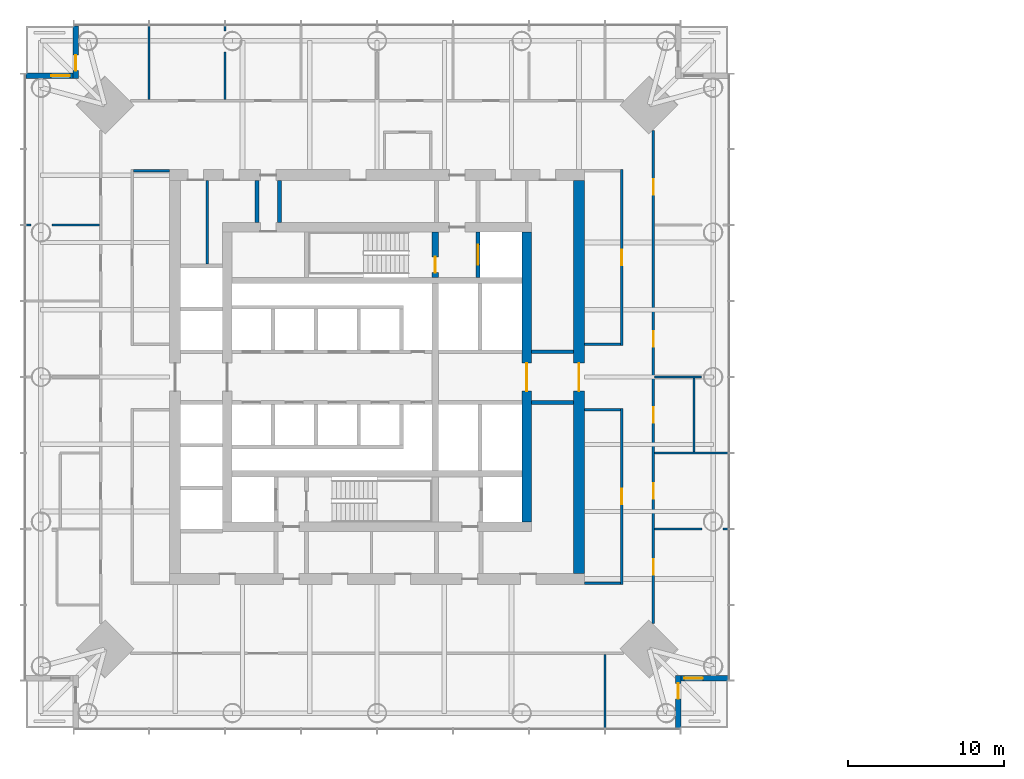
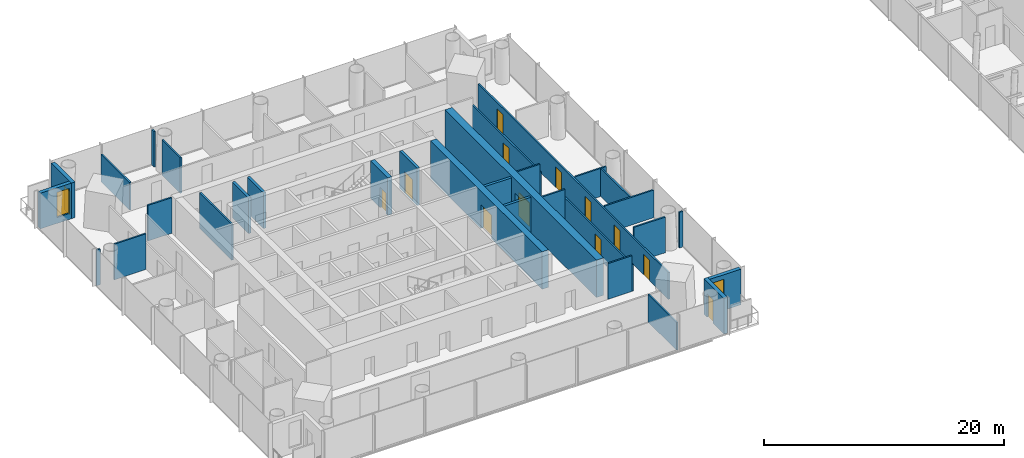
# One storey, part 10 of 18: 31 walls, 13 doors, 2 windows, 15 openings.
"""IFC4 building model written with IfcOpenShell, lengths in metres."""

from ifc_helpers import new_model, si_unit, direction, frame, frame_2d, origin, place, context, subcontext, project, spatial, rectangle, extrude, material, layer, layer_set, type_object, element, fill, save


model = new_model("IFC4")

# Units and contexts
model_context = context("Model", 3, precision=1e-05, world=origin(), true_north=direction((0.0, 1.0)))
body_context = subcontext(model_context, "Body", "Model", "MODEL_VIEW")
ifc_project = project(units=[si_unit("LENGTHUNIT", "METRE"), si_unit("AREAUNIT", "SQUARE_METRE"), si_unit("VOLUMEUNIT", "CUBIC_METRE"), si_unit("PLANEANGLEUNIT", "RADIAN"), si_unit("MASSUNIT", "GRAM", prefix="KILO")], contexts=[model_context])

# Site, building, storey
site_placement = place(None, origin())
site = spatial("IfcSite", under=ifc_project, at=site_placement, CompositionType="ELEMENT")
building_placement = place(site_placement, origin())
building = spatial("IfcBuilding", under=site, at=building_placement, Name="Ostroluk Exchange", CompositionType="ELEMENT")
storey_placement = place(building_placement, frame((0.0, 0.0, 97.0)))
storey = spatial("IfcBuildingStorey", under=building, at=storey_placement, Name="L24", CompositionType="ELEMENT", Elevation=97.0)

# Walls
ifc_material_1 = material(Name="Concrete blockwork", Category="masonry")
ifc_layer_1 = layer(ifc_material_1, 0.14990234375)
ifc_layer_set_1 = layer_set([ifc_layer_1], Name="Blockwork plant room wall 150")
wall_type_1 = type_object("IfcWallType", Name="Blockwork plant room wall 150", PredefinedType="SOLIDWALL", material=ifc_layer_set_1)
wall_1_placement = place(storey_placement, frame((34.118896484375, 53.25, 0.0), z_axis=(0.0, 0.0, 1.0), x_axis=(0.0, 1.0, 0.0)))
element("IfcWall", 1, at=wall_1_placement, inside=storey, type_object=wall_type_1, Name="Core room wall", PredefinedType="SOLIDWALL", context=body_context, shape_type="SweptSolid", body=[
    extrude(rectangle(XDim=5.35009765625, YDim=0.14990234375, at=frame_2d((2.675048828125, 0.0))), origin(), (0.0, 0.0, 1.0), 3.6201171875),
])
ifc_material_2 = material(Name="Concrete blockwork", Category="masonry")
ifc_layer_2 = layer(ifc_material_2, 0.25)
ifc_layer_set_2 = layer_set([ifc_layer_2], Name="Blockwork stair enclosure wall 250")
wall_type_2 = type_object("IfcWallType", Name="Blockwork stair enclosure wall 250", PredefinedType="SOLIDWALL", material=ifc_layer_set_2)
for number, where, z_axis, x_axis, name in (
    (2, (54.89990234375, 44.375, 0.0), (0.0, 0.0, 1.0), (1.0, 0.0, 0.0), "Lift lobby enclosure wall"),
    (3, (54.89990234375, 47.625, 0.0), (0.0, 0.0, 1.0), (1.0, 0.0, 0.0), "Lift lobby enclosure wall"),
    (4, (37.300048828125, 55.89990234375, 0.0), (0.0, 0.0, 1.0), (0.0, 1.0, 0.0), "Core corridor wall"),
    (5, (38.75, 55.89990234375, 0.0), (0.0, 0.0, 1.0), (0.0, 1.0, 0.0), "Core corridor wall"),
):
    element("IfcWall", number, at=place(storey_placement, frame(where, z_axis=z_axis, x_axis=x_axis)), inside=storey, type_object=wall_type_2, Name=name, PredefinedType="SOLIDWALL", context=body_context, shape_type="SweptSolid", body=[
        extrude(rectangle(XDim=2.7001953125, YDim=0.25, at=frame_2d((1.35009765625, 0.0))), origin(), (0.0, 0.0, 1.0), 3.6201171875),
    ])

# Wall, opening, door
ifc_material_3 = material(Name="Concrete C50/60", Category="concrete")
ifc_layer_3 = layer(ifc_material_3, 0.39990234375)
ifc_layer_set_3 = layer_set([ifc_layer_3], Name="Core cross wall 400 C50/60")
wall_type_3 = type_object("IfcWallType", Name="Core cross wall 400 C50/60", PredefinedType="SHEAR", material=ifc_layer_set_3)
wall_2_placement = place(storey_placement, frame((48.72998046875, 52.39990234375, 0.0), z_axis=(0.0, 0.0, 1.0), x_axis=(0.0, 1.0, 0.0)))
wall_2 = element("IfcWall", 6, at=wall_2_placement, inside=storey, type_object=wall_type_3, Name="T1 core wall YE3", PredefinedType="SHEAR", context=body_context, shape_type="SweptSolid", body=[
    extrude(rectangle(XDim=2.900146484375, YDim=0.39990234375, at=frame_2d((1.4501953125, 0.0))), origin(), (0.0, 0.0, 1.0), 3.800048828125),
])
opening_1_placement = place(wall_2_placement, frame((0.300048828125, 0.0, 0.0)))
opening_1 = element("IfcOpeningElement", 7, at=opening_1_placement, cuts=wall_2, Name="Opening FD60", PredefinedType="OPENING", context=body_context, shape_type="SweptSolid", body=[
    extrude(rectangle(XDim=1.0, YDim=2.10009765625, at=frame_2d((0.5, 1.050048828125))), frame((0.0, 0.2099609375, 0.0), z_axis=(0.0, -1.0, 0.0), x_axis=(1.0, 0.0, 0.0)), (0.0, 0.0, 1.0), 0.419921875),
])
ifc_material_4 = material(Name="Steel", Category="steel")
door_type_1 = type_object("IfcDoorType", Name="Fire door EI 60 1000 x 2100", OperationType="SINGLE_SWING_LEFT", PredefinedType="DOOR", material=ifc_material_4)
door_1_placement = place(opening_1_placement, origin())
door_1 = element("IfcDoor", 8, at=door_1_placement, inside=storey, type_object=door_type_1, Name="Stair T1-S2 door", OperationType="SINGLE_SWING_LEFT", OverallHeight=2.10009765625, OverallWidth=1.0, PredefinedType="DOOR", context=body_context, shape_type="SweptSolid", body=[
    extrude(rectangle(XDim=1.0, YDim=2.10009765625, at=frame_2d((0.5, 1.050048828125))), frame((0.0, 0.02490234375, 0.0), z_axis=(0.0, -1.0, 0.0), x_axis=(1.0, 0.0, 0.0)), (0.0, 0.0, 1.0), 0.050048828125),
])
fill(opening_1, door_1)

ifc_material_5 = material(Name="Concrete C40/50", Category="concrete")
ifc_layer_4 = layer(ifc_material_5, 0.25)
ifc_layer_set_4 = layer_set([ifc_layer_4], Name="Core shaft wall 250")
wall_type_4 = type_object("IfcWallType", Name="Core shaft wall 250", PredefinedType="SHEAR", material=ifc_layer_set_4)
wall_3_placement = place(storey_placement, frame((51.47509765625, 52.39990234375, 0.0), z_axis=(0.0, 0.0, 1.0), x_axis=(0.0, 1.0, 0.0)))
wall_3 = element("IfcWall", 9, at=wall_3_placement, inside=storey, type_object=wall_type_4, Name="Firefighting lift shaft wall", PredefinedType="SHEAR", context=body_context, shape_type="SweptSolid", body=[
    extrude(rectangle(XDim=2.900146484375, YDim=0.25, at=frame_2d((1.4501953125, 0.0))), origin(), (0.0, 0.0, 1.0), 3.800048828125),
])
opening_2_placement = place(wall_3_placement, frame((0.800048828125, 0.0, 0.0)))
opening_2 = element("IfcOpeningElement", 10, at=opening_2_placement, cuts=wall_3, Name="Opening LD2", PredefinedType="OPENING", context=body_context, shape_type="SweptSolid", body=[
    extrude(rectangle(XDim=1.300048828125, YDim=2.199951171875, at=frame_2d((0.64990234375, 1.10009765625))), frame((0.0, 0.135009765625, 0.0), z_axis=(0.0, -1.0, 0.0), x_axis=(1.0, 0.0, 0.0)), (0.0, 0.0, 1.0), 0.27001953125),
])
ifc_material_6 = material(Name="Stainless steel", Category="steel")
door_type_2 = type_object("IfcDoorType", Name="Lift landing door E 60 1300 x 2200", OperationType="DOUBLE_DOOR_SLIDING", PredefinedType="DOOR", material=ifc_material_6)
door_2_placement = place(opening_2_placement, origin())
door_2 = element("IfcDoor", 11, at=door_2_placement, inside=storey, type_object=door_type_2, Name="Lift FL2 landing door", OperationType="DOUBLE_DOOR_SLIDING", OverallHeight=2.199951171875, OverallWidth=1.300048828125, PredefinedType="DOOR", context=body_context, shape_type="SweptSolid", body=[
    extrude(rectangle(XDim=1.300048828125, YDim=2.199951171875, at=frame_2d((0.64990234375, 1.10009765625))), frame((0.0, 0.02490234375, 0.0), z_axis=(0.0, -1.0, 0.0), x_axis=(1.0, 0.0, 0.0)), (0.0, 0.0, 1.0), 0.050048828125),
])
fill(opening_2, door_2)

ifc_material_7 = material(Name="Concrete C50/60", Category="concrete")
ifc_layer_5 = layer(ifc_material_7, 0.60009765625)
ifc_layer_set_5 = layer_set([ifc_layer_5], Name="Core wall 600 C50/60")
wall_type_5 = type_object("IfcWallType", Name="Core wall 600 C50/60", PredefinedType="SHEAR", material=ifc_layer_set_5)
wall_4_placement = place(storey_placement, frame((54.60009765625, 36.699951171875, 0.0), z_axis=(0.0, 0.0, 1.0), x_axis=(0.0, 1.0, 0.0)))
wall_4 = element("IfcWall", 12, at=wall_4_placement, inside=storey, type_object=wall_type_5, Name="T1 core wall E", PredefinedType="SHEAR", context=body_context, shape_type="SweptSolid", body=[
    extrude(rectangle(XDim=18.60009765625, YDim=0.60009765625, at=frame_2d((9.300048828125, 0.0))), origin(), (0.0, 0.0, 1.0), 3.800048828125),
])
opening_3_placement = place(wall_4_placement, frame((8.39990234375, 0.0, 0.0)))
opening_3 = element("IfcOpeningElement", 13, at=opening_3_placement, cuts=wall_4, Name="Opening FD30D", PredefinedType="OPENING", context=body_context, shape_type="SweptSolid", body=[
    extrude(rectangle(XDim=1.800048828125, YDim=2.39990234375, at=frame_2d((0.89990234375, 1.199951171875))), frame((0.0, 0.31005859375, 0.0), z_axis=(0.0, -1.0, 0.0), x_axis=(1.0, 0.0, 0.0)), (0.0, 0.0, 1.0), 0.6201171875),
])
ifc_material_8 = material(Name="Timber", Category="wood")
door_type_3 = type_object("IfcDoorType", Name="Lobby double door EI 30 1800 x 2400", OperationType="DOUBLE_DOOR_SINGLE_SWING", PredefinedType="DOOR", material=ifc_material_8)
door_3_placement = place(opening_3_placement, origin())
door_3 = element("IfcDoor", 14, at=door_3_placement, inside=storey, type_object=door_type_3, Name="Lift lobby doors", OperationType="DOUBLE_DOOR_SINGLE_SWING", OverallHeight=2.39990234375, OverallWidth=1.800048828125, PredefinedType="DOOR", context=body_context, shape_type="SweptSolid", body=[
    extrude(rectangle(XDim=1.800048828125, YDim=2.39990234375, at=frame_2d((0.89990234375, 1.199951171875))), frame((0.0, 0.02490234375, 0.0), z_axis=(0.0, -1.0, 0.0), x_axis=(1.0, 0.0, 0.0)), (0.0, 0.0, 1.0), 0.050048828125),
])
fill(opening_3, door_3)

ifc_material_9 = material(Name="Concrete C50/60", Category="concrete")
ifc_layer_6 = layer(ifc_material_9, 0.699951171875)
ifc_layer_set_6 = layer_set([ifc_layer_6], Name="Core wall 700 C50/60")
wall_type_6 = type_object("IfcWallType", Name="Core wall 700 C50/60", PredefinedType="SHEAR", material=ifc_layer_set_6)
wall_5_placement = place(storey_placement, frame((57.949951171875, 33.39990234375, 0.0), z_axis=(0.0, 0.0, 1.0), x_axis=(0.0, 1.0, 0.0)))
wall_5 = element("IfcWall", 15, at=wall_5_placement, inside=storey, type_object=wall_type_6, Name="T1 core wall RE", PredefinedType="SHEAR", context=body_context, shape_type="SweptSolid", body=[
    extrude(rectangle(XDim=25.2001953125, YDim=0.699951171875, at=frame_2d((12.60009765625, 0.0))), origin(), (0.0, 0.0, 1.0), 3.800048828125),
])
opening_4_placement = place(wall_5_placement, frame((11.699951171875, 0.0, 0.0)))
opening_4 = element("IfcOpeningElement", 16, at=opening_4_placement, cuts=wall_5, Name="Opening FD30D", PredefinedType="OPENING", context=body_context, shape_type="SweptSolid", body=[
    extrude(rectangle(XDim=1.800048828125, YDim=2.39990234375, at=frame_2d((0.89990234375, 1.199951171875))), frame((0.0, 0.35986328125, 0.0), z_axis=(0.0, -1.0, 0.0), x_axis=(1.0, 0.0, 0.0)), (0.0, 0.0, 1.0), 0.719970703125),
])
door_4_placement = place(opening_4_placement, origin())
door_4 = element("IfcDoor", 17, at=door_4_placement, inside=storey, type_object=door_type_3, Name="Lift lobby doors", OperationType="DOUBLE_DOOR_SINGLE_SWING", OverallHeight=2.39990234375, OverallWidth=1.800048828125, PredefinedType="DOOR", context=body_context, shape_type="SweptSolid", body=[
    extrude(rectangle(XDim=1.800048828125, YDim=2.39990234375, at=frame_2d((0.89990234375, 1.199951171875))), frame((0.0, 0.02490234375, 0.0), z_axis=(0.0, -1.0, 0.0), x_axis=(1.0, 0.0, 0.0)), (0.0, 0.0, 1.0), 0.050048828125),
])
fill(opening_4, door_4)

ifc_material_10 = material(Name="Limestone", Category="masonry")
ifc_layer_7 = layer(ifc_material_10, 0.35009765625)
ifc_layer_set_7 = layer_set([ifc_layer_7], Name="Limestone facade wall 350")
wall_type_7 = type_object("IfcWallType", Name="Limestone facade wall 350", PredefinedType="SOLIDWALL", material=ifc_layer_set_7)
wall_6_placement = place(storey_placement, frame((64.324951171875, 23.5, 0.0), z_axis=(0.0, 0.0, 1.0), x_axis=(0.0, 1.0, 0.0)))
wall_6 = element("IfcWall", 18, at=wall_6_placement, inside=storey, type_object=wall_type_7, Name="Office tower SE corner wall L24 a", PredefinedType="SOLIDWALL", context=body_context, shape_type="SweptSolid", body=[
    extrude(rectangle(XDim=3.35009765625, YDim=0.35009765625, at=frame_2d((1.675048828125, 0.0))), origin(), (0.0, 0.0, 1.0), 3.6201171875),
])
opening_5_placement = place(wall_6_placement, frame((1.85009765625, 0.0, 0.0)))
opening_5 = element("IfcOpeningElement", 19, at=opening_5_placement, cuts=wall_6, Name="Opening D-B1", PredefinedType="OPENING", context=body_context, shape_type="SweptSolid", body=[
    extrude(rectangle(XDim=1.0, YDim=2.39990234375, at=frame_2d((0.5, 1.199951171875))), frame((0.0, 0.18505859375, 0.0), z_axis=(0.0, -1.0, 0.0), x_axis=(1.0, 0.0, 0.0)), (0.0, 0.0, 1.0), 0.3701171875),
])
ifc_material_11 = material(Name="Bronze framed glazed door", Category="aluminium")
door_type_4 = type_object("IfcDoorType", Name="Balcony door 1000 x 2400", OperationType="SINGLE_SWING_LEFT", PredefinedType="DOOR", material=ifc_material_11)
door_5_placement = place(opening_5_placement, origin())
door_5 = element("IfcDoor", 20, at=door_5_placement, inside=storey, type_object=door_type_4, Name="Office tower SE balcony door L24", OperationType="SINGLE_SWING_RIGHT", OverallHeight=2.39990234375, OverallWidth=1.0, PredefinedType="DOOR", context=body_context, shape_type="SweptSolid", body=[
    extrude(rectangle(XDim=1.0, YDim=2.39990234375, at=frame_2d((0.5, 1.199951171875))), frame((0.0, 0.02490234375, 0.0), z_axis=(0.0, -1.0, 0.0), x_axis=(1.0, 0.0, 0.0)), (0.0, 0.0, 1.0), 0.050048828125),
])
fill(opening_5, door_5)

# Wall, opening, window
wall_7_placement = place(storey_placement, frame((64.5, 26.675048828125, 0.0), z_axis=(0.0, 0.0, 1.0), x_axis=(1.0, 0.0, 0.0)))
wall_7 = element("IfcWall", 21, at=wall_7_placement, inside=storey, type_object=wall_type_7, Name="Office tower SE corner wall L24 b", PredefinedType="SOLIDWALL", context=body_context, shape_type="SweptSolid", body=[
    extrude(rectangle(XDim=3.0, YDim=0.35009765625, at=frame_2d((1.5, 0.0))), origin(), (0.0, 0.0, 1.0), 3.6201171875),
])
opening_6_placement = place(wall_7_placement, frame((0.199951171875, 0.0, 0.60009765625)))
opening_6 = element("IfcOpeningElement", 22, at=opening_6_placement, cuts=wall_7, Name="Opening WN-L1", PredefinedType="OPENING", context=body_context, shape_type="SweptSolid", body=[
    extrude(rectangle(XDim=1.199951171875, YDim=2.550048828125, at=frame_2d((0.60009765625, 1.27490234375))), frame((0.0, 0.18505859375, 0.0), z_axis=(0.0, -1.0, 0.0), x_axis=(1.0, 0.0, 0.0)), (0.0, 0.0, 1.0), 0.3701171875),
])
ifc_material_12 = material(Name="Laminated clear glass", Category="glass")
window_type = type_object("IfcWindowType", Name="Lancet window 1200 x 2550", PartitioningType="SINGLE_PANEL", PredefinedType="WINDOW", material=ifc_material_12)
window_1_placement = place(opening_6_placement, origin())
window_1 = element("IfcWindow", 23, at=window_1_placement, inside=storey, type_object=window_type, Name="Office tower SE lancet window L24", OverallHeight=2.550048828125, OverallWidth=1.199951171875, PartitioningType="SINGLE_PANEL", PredefinedType="WINDOW", context=body_context, shape_type="SweptSolid", body=[
    extrude(rectangle(XDim=1.199951171875, YDim=2.550048828125, at=frame_2d((0.60009765625, 1.27490234375))), frame((0.0, 0.030029296875, 0.0), z_axis=(0.0, -1.0, 0.0), x_axis=(1.0, 0.0, 0.0)), (0.0, 0.0, 1.0), 0.06005859375),
])
fill(opening_6, window_1)

# Wall, opening, door
wall_8_placement = place(storey_placement, frame((25.675048828125, 68.5, 0.0), z_axis=(0.0, 0.0, 1.0), x_axis=(0.0, -1.0, 0.0)))
wall_8 = element("IfcWall", 24, at=wall_8_placement, inside=storey, type_object=wall_type_7, Name="Office tower NW corner wall L24 a", PredefinedType="SOLIDWALL", context=body_context, shape_type="SweptSolid", body=[
    extrude(rectangle(XDim=3.35009765625, YDim=0.35009765625, at=frame_2d((1.675048828125, 0.0))), origin(), (0.0, 0.0, 1.0), 3.6201171875),
])
opening_7_placement = place(wall_8_placement, frame((1.85009765625, 0.0, 0.0)))
opening_7 = element("IfcOpeningElement", 25, at=opening_7_placement, cuts=wall_8, Name="Opening D-B1", PredefinedType="OPENING", context=body_context, shape_type="SweptSolid", body=[
    extrude(rectangle(XDim=1.0, YDim=2.39990234375, at=frame_2d((0.5, 1.199951171875))), frame((0.0, 0.18505859375, 0.0), z_axis=(0.0, -1.0, 0.0), x_axis=(1.0, 0.0, 0.0)), (0.0, 0.0, 1.0), 0.3701171875),
])
door_6_placement = place(opening_7_placement, origin())
door_6 = element("IfcDoor", 26, at=door_6_placement, inside=storey, type_object=door_type_4, Name="Office tower NW balcony door L24", OperationType="SINGLE_SWING_RIGHT", OverallHeight=2.39990234375, OverallWidth=1.0, PredefinedType="DOOR", context=body_context, shape_type="SweptSolid", body=[
    extrude(rectangle(XDim=1.0, YDim=2.39990234375, at=frame_2d((0.5, 1.199951171875))), frame((0.0, 0.02490234375, 0.0), z_axis=(0.0, -1.0, 0.0), x_axis=(1.0, 0.0, 0.0)), (0.0, 0.0, 1.0), 0.050048828125),
])
fill(opening_7, door_6)

# Wall, opening, window
wall_9_placement = place(storey_placement, frame((25.5, 65.324951171875, 0.0), z_axis=(0.0, 0.0, 1.0), x_axis=(-1.0, 0.0, 0.0)))
wall_9 = element("IfcWall", 27, at=wall_9_placement, inside=storey, type_object=wall_type_7, Name="Office tower NW corner wall L24 b", PredefinedType="SOLIDWALL", context=body_context, shape_type="SweptSolid", body=[
    extrude(rectangle(XDim=3.0, YDim=0.35009765625, at=frame_2d((1.5, 0.0))), origin(), (0.0, 0.0, 1.0), 3.6201171875),
])
opening_8_placement = place(wall_9_placement, frame((0.199951171875, 0.0, 0.60009765625)))
opening_8 = element("IfcOpeningElement", 28, at=opening_8_placement, cuts=wall_9, Name="Opening WN-L1", PredefinedType="OPENING", context=body_context, shape_type="SweptSolid", body=[
    extrude(rectangle(XDim=1.199951171875, YDim=2.550048828125, at=frame_2d((0.60009765625, 1.27490234375))), frame((0.0, 0.18505859375, 0.0), z_axis=(0.0, -1.0, 0.0), x_axis=(1.0, 0.0, 0.0)), (0.0, 0.0, 1.0), 0.3701171875),
])
window_2_placement = place(opening_8_placement, origin())
window_2 = element("IfcWindow", 29, at=window_2_placement, inside=storey, type_object=window_type, Name="Office tower NW lancet window L24", OverallHeight=2.550048828125, OverallWidth=1.199951171875, PartitioningType="SINGLE_PANEL", PredefinedType="WINDOW", context=body_context, shape_type="SweptSolid", body=[
    extrude(rectangle(XDim=1.199951171875, YDim=2.550048828125, at=frame_2d((0.60009765625, 1.27490234375))), frame((0.0, 0.030029296875, 0.0), z_axis=(0.0, -1.0, 0.0), x_axis=(1.0, 0.0, 0.0)), (0.0, 0.0, 1.0), 0.06005859375),
])
fill(opening_8, window_2)

# Wall, opening, door
ifc_material_13 = material(Name="Gypsum plasterboard partition", Category="gypsum")
ifc_layer_8 = layer(ifc_material_13, 0.14990234375)
ifc_layer_set_8 = layer_set([ifc_layer_8], Name="Plasterboard partition 150")
wall_type_8 = type_object("IfcWallType", Name="Plasterboard partition 150", PredefinedType="PARTITIONING", material=ifc_layer_set_8)
wall_10_placement = place(storey_placement, frame((60.699951171875, 32.699951171875, 0.0), z_axis=(0.0, 0.0, 1.0), x_axis=(0.0, 1.0, 0.0)))
wall_10 = element("IfcWall", 30, at=wall_10_placement, inside=storey, type_object=wall_type_8, Name="Partition", PredefinedType="PARTITIONING", context=body_context, shape_type="SweptSolid", body=[
    extrude(rectangle(XDim=11.275146484375, YDim=0.14990234375, at=frame_2d((5.6376953125, 0.0))), origin(), (0.0, 0.0, 1.0), 2.719970703125),
])
opening_9_placement = place(wall_10_placement, frame((5.137451171875, 0.0, 0.0)))
opening_9 = element("IfcOpeningElement", 31, at=opening_9_placement, cuts=wall_10, Name="Opening D-03", PredefinedType="OPENING", context=body_context, shape_type="SweptSolid", body=[
    extrude(rectangle(XDim=1.0, YDim=2.10009765625, at=frame_2d((0.5, 1.050048828125))), frame((0.0, 0.0849609375, 0.0), z_axis=(0.0, -1.0, 0.0), x_axis=(1.0, 0.0, 0.0)), (0.0, 0.0, 1.0), 0.169921875),
])
ifc_material_14 = material(Name="Timber", Category="wood")
door_type_5 = type_object("IfcDoorType", Name="Internal door 1000 x 2100", OperationType="SINGLE_SWING_LEFT", PredefinedType="DOOR", material=ifc_material_14)
door_7_placement = place(opening_9_placement, origin())
door_7 = element("IfcDoor", 32, at=door_7_placement, inside=storey, type_object=door_type_5, Name="Project room door", OperationType="SINGLE_SWING_RIGHT", OverallHeight=2.10009765625, OverallWidth=1.0, PredefinedType="DOOR", context=body_context, shape_type="SweptSolid", body=[
    extrude(rectangle(XDim=1.0, YDim=2.10009765625, at=frame_2d((0.5, 1.050048828125))), frame((0.0, 0.02490234375, 0.0), z_axis=(0.0, -1.0, 0.0), x_axis=(1.0, 0.0, 0.0)), (0.0, 0.0, 1.0), 0.050048828125),
])
fill(opening_9, door_7)

# Walls
for number, where, z_axis, x_axis, name in (
    (33, (58.300048828125, 32.77490234375, 0.0), (0.0, 0.0, 1.0), (1.0, 0.0, 0.0), "Partition"),
    (34, (58.300048828125, 43.89990234375, 0.0), (0.0, 0.0, 1.0), (1.0, 0.0, 0.0), "Partition"),
):
    element("IfcWall", number, at=place(storey_placement, frame(where, z_axis=z_axis, x_axis=x_axis)), inside=storey, type_object=wall_type_8, Name=name, PredefinedType="PARTITIONING", context=body_context, shape_type="SweptSolid", body=[
        extrude(rectangle(XDim=2.324951171875, YDim=0.14990234375, at=frame_2d((1.16259765625, 0.0))), origin(), (0.0, 0.0, 1.0), 3.6201171875),
    ])

# Wall, opening, door
wall_11_placement = place(storey_placement, frame((60.699951171875, 48.02490234375, 0.0), z_axis=(0.0, 0.0, 1.0), x_axis=(0.0, 1.0, 0.0)))
wall_11 = element("IfcWall", 35, at=wall_11_placement, inside=storey, type_object=wall_type_8, Name="Partition", PredefinedType="PARTITIONING", context=body_context, shape_type="SweptSolid", body=[
    extrude(rectangle(XDim=11.275146484375, YDim=0.14990234375, at=frame_2d((5.6376953125, 0.0))), origin(), (0.0, 0.0, 1.0), 2.805908203125),
])
opening_10_placement = place(wall_11_placement, frame((5.137451171875, 0.0, 0.0)))
opening_10 = element("IfcOpeningElement", 36, at=opening_10_placement, cuts=wall_11, Name="Opening D-03", PredefinedType="OPENING", context=body_context, shape_type="SweptSolid", body=[
    extrude(rectangle(XDim=1.0, YDim=2.10009765625, at=frame_2d((0.5, 1.050048828125))), frame((0.0, 0.0849609375, 0.0), z_axis=(0.0, -1.0, 0.0), x_axis=(1.0, 0.0, 0.0)), (0.0, 0.0, 1.0), 0.169921875),
])
door_8_placement = place(opening_10_placement, origin())
door_8 = element("IfcDoor", 37, at=door_8_placement, inside=storey, type_object=door_type_5, Name="Interview room door", OperationType="SINGLE_SWING_RIGHT", OverallHeight=2.10009765625, OverallWidth=1.0, PredefinedType="DOOR", context=body_context, shape_type="SweptSolid", body=[
    extrude(rectangle(XDim=1.0, YDim=2.10009765625, at=frame_2d((0.5, 1.050048828125))), frame((0.0, 0.02490234375, 0.0), z_axis=(0.0, -1.0, 0.0), x_axis=(1.0, 0.0, 0.0)), (0.0, 0.0, 1.0), 0.050048828125),
])
fill(opening_10, door_8)

# Walls
for number, where, z_axis, x_axis, name in (
    (38, (58.300048828125, 48.10009765625, 0.0), (0.0, 0.0, 1.0), (1.0, 0.0, 0.0), "Partition"),
    (39, (31.699951171875, 59.22509765625, 0.0), (0.0, 0.0, 1.0), (-1.0, 0.0, 0.0), "Partition"),
):
    element("IfcWall", number, at=place(storey_placement, frame(where, z_axis=z_axis, x_axis=x_axis)), inside=storey, type_object=wall_type_8, Name=name, PredefinedType="PARTITIONING", context=body_context, shape_type="SweptSolid", body=[
        extrude(rectangle(XDim=2.324951171875, YDim=0.14990234375, at=frame_2d((1.16259765625, 0.0))), origin(), (0.0, 0.0, 1.0), 3.6201171875),
    ])
wall_12_placement = place(storey_placement, frame((65.324951171875, 41.199951171875, 0.0), z_axis=(0.0, 0.0, 1.0), x_axis=(0.0, 1.0, 0.0)))
element("IfcWall", 40, at=wall_12_placement, inside=storey, type_object=wall_type_8, Name="Partition", PredefinedType="PARTITIONING", context=body_context, shape_type="SweptSolid", body=[
    extrude(rectangle(XDim=4.72509765625, YDim=0.14990234375, at=frame_2d((2.362548828125, 0.0))), origin(), (0.0, 0.0, 1.0), 2.85791015625),
])

# Wall, openings, doors
wall_13_placement = place(storey_placement, frame((62.72509765625, 30.1884765625, 0.0), z_axis=(0.0, 0.0, 1.0), x_axis=(0.0, 1.0, 0.0)))
wall_13 = element("IfcWall", 41, at=wall_13_placement, inside=storey, type_object=wall_type_8, Name="Partition", PredefinedType="PARTITIONING", context=body_context, shape_type="SweptSolid", body=[
    extrude(rectangle(XDim=31.623046875, YDim=0.14990234375, at=frame_2d((15.8115234375, 0.0))), origin(), (0.0, 0.0, 1.0), 2.719970703125),
])
opening_11_placement = place(wall_13_placement, frame((3.1240234375, 0.0, 0.0)))
opening_11 = element("IfcOpeningElement", 42, at=opening_11_placement, cuts=wall_13, Name="Opening D-03", PredefinedType="OPENING", context=body_context, shape_type="SweptSolid", body=[
    extrude(rectangle(XDim=1.0, YDim=2.10009765625, at=frame_2d((0.5, 1.050048828125))), frame((0.0, 0.0849609375, 0.0), z_axis=(0.0, -1.0, 0.0), x_axis=(1.0, 0.0, 0.0)), (0.0, 0.0, 1.0), 0.169921875),
])
opening_12_placement = place(wall_13_placement, frame((7.9990234375, 0.0, 0.0)))
opening_12 = element("IfcOpeningElement", 43, at=opening_12_placement, cuts=wall_13, Name="Opening D-03", PredefinedType="OPENING", context=body_context, shape_type="SweptSolid", body=[
    extrude(rectangle(XDim=1.0, YDim=2.10009765625, at=frame_2d((0.5, 1.050048828125))), frame((0.0, 0.0849609375, 0.0), z_axis=(0.0, -1.0, 0.0), x_axis=(1.0, 0.0, 0.0)), (0.0, 0.0, 1.0), 0.169921875),
])
opening_13_placement = place(wall_13_placement, frame((12.8740234375, 0.0, 0.0)))
opening_13 = element("IfcOpeningElement", 44, at=opening_13_placement, cuts=wall_13, Name="Opening D-03", PredefinedType="OPENING", context=body_context, shape_type="SweptSolid", body=[
    extrude(rectangle(XDim=1.0, YDim=2.10009765625, at=frame_2d((0.5, 1.050048828125))), frame((0.0, 0.0849609375, 0.0), z_axis=(0.0, -1.0, 0.0), x_axis=(1.0, 0.0, 0.0)), (0.0, 0.0, 1.0), 0.169921875),
])
opening_14_placement = place(wall_13_placement, frame((17.7490234375, 0.0, 0.0)))
opening_14 = element("IfcOpeningElement", 45, at=opening_14_placement, cuts=wall_13, Name="Opening D-03", PredefinedType="OPENING", context=body_context, shape_type="SweptSolid", body=[
    extrude(rectangle(XDim=1.0, YDim=2.10009765625, at=frame_2d((0.5, 1.050048828125))), frame((0.0, 0.0849609375, 0.0), z_axis=(0.0, -1.0, 0.0), x_axis=(1.0, 0.0, 0.0)), (0.0, 0.0, 1.0), 0.169921875),
])
opening_15_placement = place(wall_13_placement, frame((27.4990234375, 0.0, 0.0)))
opening_15 = element("IfcOpeningElement", 46, at=opening_15_placement, cuts=wall_13, Name="Opening D-03", PredefinedType="OPENING", context=body_context, shape_type="SweptSolid", body=[
    extrude(rectangle(XDim=1.0, YDim=2.10009765625, at=frame_2d((0.5, 1.050048828125))), frame((0.0, 0.0849609375, 0.0), z_axis=(0.0, -1.0, 0.0), x_axis=(1.0, 0.0, 0.0)), (0.0, 0.0, 1.0), 0.169921875),
])
door_9_placement = place(opening_11_placement, origin())
door_9 = element("IfcDoor", 47, at=door_9_placement, inside=storey, type_object=door_type_5, Name="Office suite door", OperationType="SINGLE_SWING_LEFT", OverallHeight=2.10009765625, OverallWidth=1.0, PredefinedType="DOOR", context=body_context, shape_type="SweptSolid", body=[
    extrude(rectangle(XDim=1.0, YDim=2.10009765625, at=frame_2d((0.5, 1.050048828125))), frame((0.0, 0.02490234375, 0.0), z_axis=(0.0, -1.0, 0.0), x_axis=(1.0, 0.0, 0.0)), (0.0, 0.0, 1.0), 0.050048828125),
])
fill(opening_11, door_9)
door_10_placement = place(opening_12_placement, origin())
door_10 = element("IfcDoor", 48, at=door_10_placement, inside=storey, type_object=door_type_5, Name="Meeting room door", OperationType="SINGLE_SWING_LEFT", OverallHeight=2.10009765625, OverallWidth=1.0, PredefinedType="DOOR", context=body_context, shape_type="SweptSolid", body=[
    extrude(rectangle(XDim=1.0, YDim=2.10009765625, at=frame_2d((0.5, 1.050048828125))), frame((0.0, 0.02490234375, 0.0), z_axis=(0.0, -1.0, 0.0), x_axis=(1.0, 0.0, 0.0)), (0.0, 0.0, 1.0), 0.050048828125),
])
fill(opening_12, door_10)
door_11_placement = place(opening_13_placement, origin())
door_11 = element("IfcDoor", 49, at=door_11_placement, inside=storey, type_object=door_type_5, Name="Pantry door", OperationType="SINGLE_SWING_LEFT", OverallHeight=2.10009765625, OverallWidth=1.0, PredefinedType="DOOR", context=body_context, shape_type="SweptSolid", body=[
    extrude(rectangle(XDim=1.0, YDim=2.10009765625, at=frame_2d((0.5, 1.050048828125))), frame((0.0, 0.02490234375, 0.0), z_axis=(0.0, -1.0, 0.0), x_axis=(1.0, 0.0, 0.0)), (0.0, 0.0, 1.0), 0.050048828125),
])
fill(opening_13, door_11)
door_12_placement = place(opening_14_placement, origin())
door_12 = element("IfcDoor", 50, at=door_12_placement, inside=storey, type_object=door_type_5, Name="Office door", OperationType="SINGLE_SWING_RIGHT", OverallHeight=2.10009765625, OverallWidth=1.0, PredefinedType="DOOR", context=body_context, shape_type="SweptSolid", body=[
    extrude(rectangle(XDim=1.0, YDim=2.10009765625, at=frame_2d((0.5, 1.050048828125))), frame((0.0, 0.02490234375, 0.0), z_axis=(0.0, -1.0, 0.0), x_axis=(1.0, 0.0, 0.0)), (0.0, 0.0, 1.0), 0.050048828125),
])
fill(opening_14, door_12)
door_13_placement = place(opening_15_placement, origin())
door_13 = element("IfcDoor", 51, at=door_13_placement, inside=storey, type_object=door_type_5, Name="Office door", OperationType="SINGLE_SWING_RIGHT", OverallHeight=2.10009765625, OverallWidth=1.0, PredefinedType="DOOR", context=body_context, shape_type="SweptSolid", body=[
    extrude(rectangle(XDim=1.0, YDim=2.10009765625, at=frame_2d((0.5, 1.050048828125))), frame((0.0, 0.02490234375, 0.0), z_axis=(0.0, -1.0, 0.0), x_axis=(1.0, 0.0, 0.0)), (0.0, 0.0, 1.0), 0.050048828125),
])
fill(opening_15, door_13)

# Walls
wall_14_placement = place(storey_placement, frame((62.800048828125, 36.25, 0.0), z_axis=(0.0, 0.0, 1.0), x_axis=(1.0, 0.0, 0.0)))
element("IfcWall", 52, at=wall_14_placement, inside=storey, type_object=wall_type_8, Name="Partition", PredefinedType="PARTITIONING", context=body_context, shape_type="SweptSolid", body=[
    extrude(rectangle(XDim=3.04052734375, YDim=0.14990234375, at=frame_2d((1.520263671875, 0.0))), origin(), (0.0, 0.0, 1.0), 3.6201171875),
])
wall_15_placement = place(storey_placement, frame((67.180908203125, 36.25, 0.0), z_axis=(0.0, 0.0, 1.0), x_axis=(1.0, 0.0, 0.0)))
element("IfcWall", 53, at=wall_15_placement, inside=storey, type_object=wall_type_8, Name="Partition", PredefinedType="PARTITIONING", context=body_context, shape_type="SweptSolid", body=[
    extrude(rectangle(XDim=0.359130859375, YDim=0.14990234375, at=frame_2d((0.1796875, 0.0))), origin(), (0.0, 0.0, 1.0), 3.6201171875),
])
wall_16_placement = place(storey_placement, frame((62.800048828125, 41.125, 0.0), z_axis=(0.0, 0.0, 1.0), x_axis=(1.0, 0.0, 0.0)))
element("IfcWall", 54, at=wall_16_placement, inside=storey, type_object=wall_type_8, Name="Partition", PredefinedType="PARTITIONING", context=body_context, shape_type="SweptSolid", body=[
    extrude(rectangle(XDim=4.739990234375, YDim=0.14990234375, at=frame_2d((2.3701171875, 0.0))), origin(), (0.0, 0.0, 1.0), 2.820068359375),
])
wall_17_placement = place(storey_placement, frame((62.800048828125, 46.0, 0.0), z_axis=(0.0, 0.0, 1.0), x_axis=(1.0, 0.0, 0.0)))
element("IfcWall", 55, at=wall_17_placement, inside=storey, type_object=wall_type_8, Name="Partition", PredefinedType="PARTITIONING", context=body_context, shape_type="SweptSolid", body=[
    extrude(rectangle(XDim=2.994873046875, YDim=0.14990234375, at=frame_2d((1.49755859375, 0.0))), origin(), (0.0, 0.0, 1.0), 2.85791015625),
])
wall_18_placement = place(storey_placement, frame((35.25, 63.800048828125, 0.0), z_axis=(0.0, 0.0, 1.0), x_axis=(0.0, 1.0, 0.0)))
element("IfcWall", 56, at=wall_18_placement, inside=storey, type_object=wall_type_8, Name="Partition", PredefinedType="PARTITIONING", context=body_context, shape_type="SweptSolid", body=[
    extrude(rectangle(XDim=3.04052734375, YDim=0.14990234375, at=frame_2d((1.520263671875, 0.0))), origin(), (0.0, 0.0, 1.0), 3.6201171875),
])
wall_19_placement = place(storey_placement, frame((35.25, 68.180908203125, 0.0), z_axis=(0.0, 0.0, 1.0), x_axis=(0.0, 1.0, 0.0)))
element("IfcWall", 57, at=wall_19_placement, inside=storey, type_object=wall_type_8, Name="Partition", PredefinedType="PARTITIONING", context=body_context, shape_type="SweptSolid", body=[
    extrude(rectangle(XDim=0.359130859375, YDim=0.14990234375, at=frame_2d((0.1796875, 0.0))), origin(), (0.0, 0.0, 1.0), 3.6201171875),
])
wall_20_placement = place(storey_placement, frame((30.375, 63.800048828125, 0.0), z_axis=(0.0, 0.0, 1.0), x_axis=(0.0, 1.0, 0.0)))
element("IfcWall", 58, at=wall_20_placement, inside=storey, type_object=wall_type_8, Name="Partition", PredefinedType="PARTITIONING", context=body_context, shape_type="SweptSolid", body=[
    extrude(rectangle(XDim=4.739990234375, YDim=0.14990234375, at=frame_2d((2.3701171875, 0.0))), origin(), (0.0, 0.0, 1.0), 2.820068359375),
])
wall_21_placement = place(storey_placement, frame((27.199951171875, 55.75, 0.0), z_axis=(0.0, 0.0, 1.0), x_axis=(-1.0, 0.0, 0.0)))
element("IfcWall", 59, at=wall_21_placement, inside=storey, type_object=wall_type_8, Name="Partition", PredefinedType="PARTITIONING", context=body_context, shape_type="SweptSolid", body=[
    extrude(rectangle(XDim=3.04052734375, YDim=0.14990234375, at=frame_2d((1.520263671875, 0.0))), origin(), (0.0, 0.0, 1.0), 3.6201171875),
])
wall_22_placement = place(storey_placement, frame((22.819091796875, 55.75, 0.0), z_axis=(0.0, 0.0, 1.0), x_axis=(-1.0, 0.0, 0.0)))
element("IfcWall", 60, at=wall_22_placement, inside=storey, type_object=wall_type_8, Name="Partition", PredefinedType="PARTITIONING", context=body_context, shape_type="SweptSolid", body=[
    extrude(rectangle(XDim=0.359130859375, YDim=0.14990234375, at=frame_2d((0.1796875, 0.0))), origin(), (0.0, 0.0, 1.0), 3.6201171875),
])
wall_23_placement = place(storey_placement, frame((59.625, 28.199951171875, 0.0), z_axis=(0.0, 0.0, 1.0), x_axis=(0.0, -1.0, 0.0)))
element("IfcWall", 61, at=wall_23_placement, inside=storey, type_object=wall_type_8, Name="Partition", PredefinedType="PARTITIONING", context=body_context, shape_type="SweptSolid", body=[
    extrude(rectangle(XDim=4.739990234375, YDim=0.14990234375, at=frame_2d((2.3701171875, 0.0))), origin(), (0.0, 0.0, 1.0), 2.820068359375),
])

save(model, "model.ifc")
